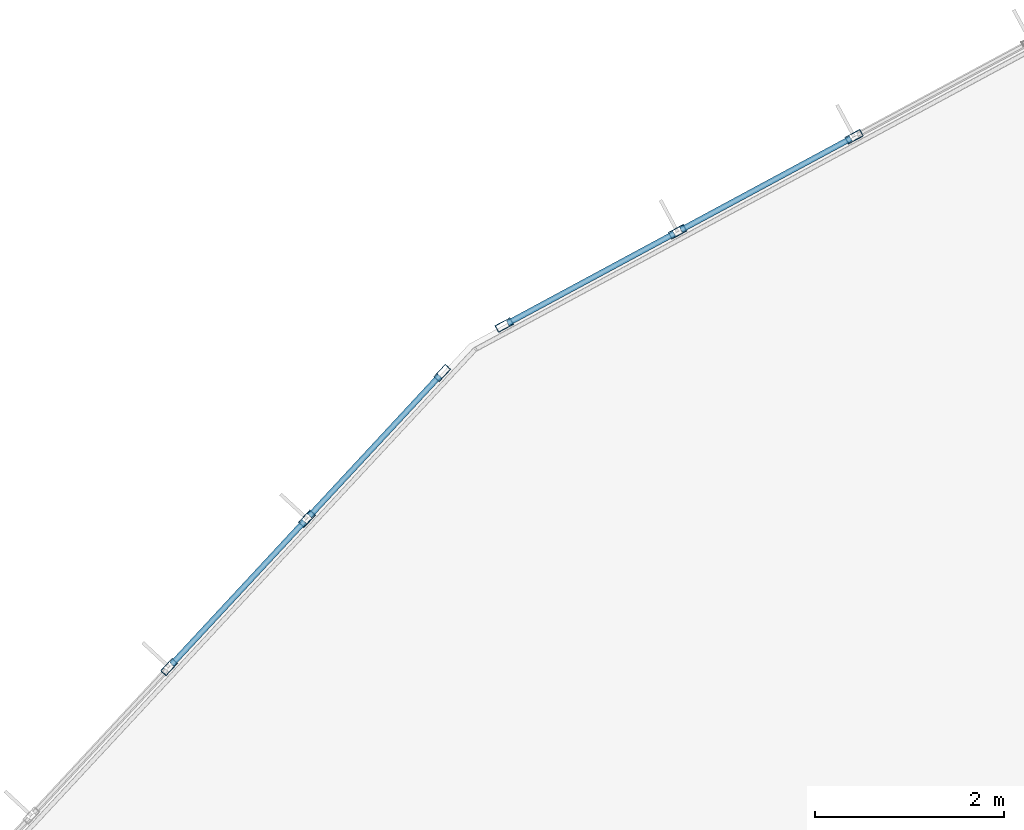
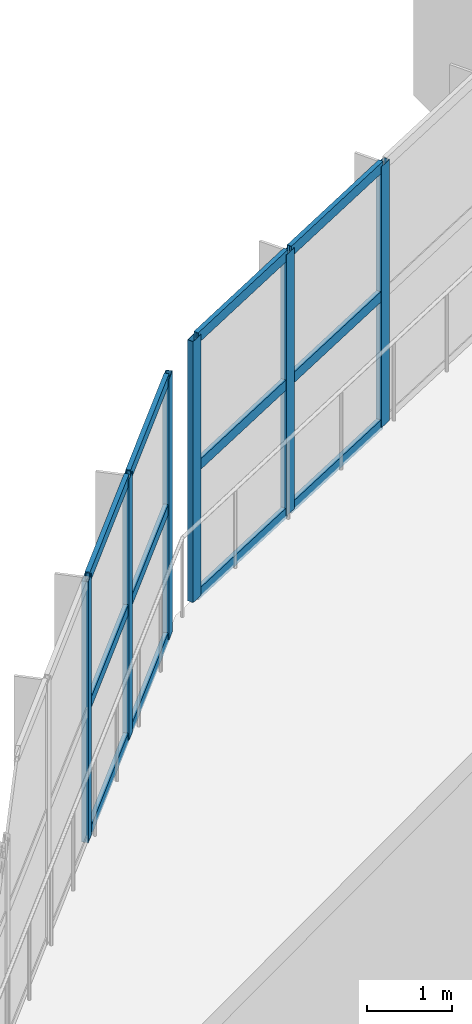
# One storey, part 43 of 167: 18 members, 2 elements without a shape of their own.
"""IFC4 building model written with IfcOpenShell, lengths in metres."""

from ifc_helpers import new_model, si_unit, direction, frame, origin, origin_2d, place, context, subcontext, project, spatial, hollow_rectangle, extrude, material, layer, layer_set, material_profile, profile_set, type_object, element, aggregate, save


model = new_model("IFC4")

# Units and contexts
model_context = context("Model", 3, precision=1e-05, world=origin(), true_north=direction((0.0, 1.0)))
body_context = subcontext(model_context, "Body", "Model", "MODEL_VIEW")
ifc_project = project(units=[si_unit("LENGTHUNIT", "METRE"), si_unit("AREAUNIT", "SQUARE_METRE"), si_unit("VOLUMEUNIT", "CUBIC_METRE"), si_unit("PLANEANGLEUNIT", "RADIAN"), si_unit("MASSUNIT", "GRAM", prefix="KILO")], contexts=[model_context])

# Site, building, storey
site_placement = place(None, origin())
site = spatial("IfcSite", under=ifc_project, at=site_placement, CompositionType="ELEMENT")
building_placement = place(site_placement, origin())
building = spatial("IfcBuilding", under=site, at=building_placement, Name="Zizhar Promenade General Hospital", CompositionType="ELEMENT")
storey_placement = place(building_placement, frame((0.0, 0.0, 9.60009765625)))
storey = spatial("IfcBuildingStorey", under=building, at=storey_placement, Name="L02", CompositionType="ELEMENT", Elevation=9.60009765625)

# Curtain wall, members
ifc_material_1 = material(Name="Anodised aluminium 6063-T6 and low-E glass", Category="aluminium")
ifc_layer = layer(ifc_material_1, 0.159912109375)
ifc_layer_set = layer_set([ifc_layer], Name="Anodised aluminium 6063-T6 and low-E glass")
curtain_wall_type = type_object("IfcCurtainWallType", Name="CW-DT-MOD2", PredefinedType="NOTDEFINED", material=ifc_layer_set)
curtain_wall_1_placement = place(storey_placement, origin())
curtain_wall_1 = element("IfcCurtainWall", 1, at=curtain_wall_1_placement, inside=storey, type_object=curtain_wall_type, Name="West Diagnostic Arm Glazed Curtain Wall L02-NW2", PredefinedType="NOTDEFINED")
ifc_material_2 = material(Name="Anodised aluminium 6063-T6", Category="aluminium")
ifc_material_profile_1 = material_profile(ifc_material_2, hollow_rectangle(XDim=0.080078125, YDim=0.179931640625, WallThickness=0.0048828125, at=origin_2d()))
ifc_profile_set_1 = profile_set([ifc_material_profile_1], Name="Anodised aluminium 6063-T6")
member_type_1 = type_object("IfcMemberType", Name="CWM-ALU-180x80", PredefinedType="MULLION", material=ifc_profile_set_1)
member_1_placement = place(storey_placement, frame((12.42822265625, 72.184326171875, 0.0), z_axis=(0.0, 0.0, 1.0), x_axis=(-0.732792826081, 0.680451816108, 0.0)))
member_1 = element("IfcMember", 2, at=member_1_placement, type_object=member_type_1, Name="CW-08 mullion 4", PredefinedType="MULLION", context=body_context, shape_type="SweptSolid", body=[
    extrude(hollow_rectangle(XDim=0.080078125, YDim=0.179931640625, WallThickness=0.0048828125, at=origin_2d()), origin(), (0.0, 0.0, 1.0), 3.72998046875),
])
member_2_placement = place(storey_placement, frame((13.884765625, 73.7529296875, 0.0), z_axis=(0.0, 0.0, 1.0), x_axis=(-0.732792826081, 0.680451816108, 0.0)))
member_2 = element("IfcMember", 3, at=member_2_placement, type_object=member_type_1, Name="CW-08 mullion 5", PredefinedType="MULLION", context=body_context, shape_type="SweptSolid", body=[
    extrude(hollow_rectangle(XDim=0.080078125, YDim=0.179931640625, WallThickness=0.0048828125, at=origin_2d()), origin(), (0.0, 0.0, 1.0), 3.72998046875),
])
member_3_placement = place(storey_placement, frame((15.314208984375, 75.292236328125, 0.0), z_axis=(0.0, 0.0, 1.0), x_axis=(-0.732792826081, 0.680451816108, 0.0)))
member_3 = element("IfcMember", 4, at=member_3_placement, type_object=member_type_1, Name="CW-08 mullion 6", PredefinedType="MULLION", context=body_context, shape_type="SweptSolid", body=[
    extrude(hollow_rectangle(XDim=0.080078125, YDim=0.179931640625, WallThickness=0.0048828125, at=origin_2d()), origin(), (0.0, 0.0, 1.0), 3.72998046875),
])

curtain_wall_2_placement = place(storey_placement, origin())
curtain_wall_2 = element("IfcCurtainWall", 5, at=curtain_wall_2_placement, inside=storey, type_object=curtain_wall_type, Name="West Diagnostic Arm Glazed Curtain Wall L02-NW3", PredefinedType="NOTDEFINED")
member_4_placement = place(storey_placement, frame((15.9697265625, 75.799072265625, 0.0), z_axis=(0.0, 0.0, 1.0), x_axis=(-0.474097009774, 0.880472614749, 0.0)))
member_4 = element("IfcMember", 6, at=member_4_placement, type_object=member_type_1, Name="CW-08 mullion 1", PredefinedType="MULLION", context=body_context, shape_type="SweptSolid", body=[
    extrude(hollow_rectangle(XDim=0.080078125, YDim=0.179931640625, WallThickness=0.0048828125, at=origin_2d()), origin(), (0.0, 0.0, 1.0), 3.72998046875),
])
member_5_placement = place(storey_placement, frame((17.801025390625, 76.78515625, 0.0), z_axis=(0.0, 0.0, 1.0), x_axis=(-0.474097009774, 0.880472614749, 0.0)))
member_5 = element("IfcMember", 7, at=member_5_placement, type_object=member_type_1, Name="CW-08 mullion 2", PredefinedType="MULLION", context=body_context, shape_type="SweptSolid", body=[
    extrude(hollow_rectangle(XDim=0.080078125, YDim=0.179931640625, WallThickness=0.0048828125, at=origin_2d()), origin(), (0.0, 0.0, 1.0), 3.72998046875),
])
member_6_placement = place(storey_placement, frame((19.667236328125, 77.7900390625, 0.0), z_axis=(0.0, 0.0, 1.0), x_axis=(-0.474097009774, 0.880472614749, 0.0)))
member_6 = element("IfcMember", 8, at=member_6_placement, type_object=member_type_1, Name="CW-08 mullion 3", PredefinedType="MULLION", context=body_context, shape_type="SweptSolid", body=[
    extrude(hollow_rectangle(XDim=0.080078125, YDim=0.179931640625, WallThickness=0.0048828125, at=origin_2d()), origin(), (0.0, 0.0, 1.0), 3.72998046875),
])

# Member
ifc_material_3 = material(Name="Anodised aluminium 6063-T6", Category="aluminium")
ifc_material_profile_2 = material_profile(ifc_material_3, hollow_rectangle(XDim=0.06005859375, YDim=0.14990234375, WallThickness=0.00390625, at=origin_2d()))
ifc_profile_set_2 = profile_set([ifc_material_profile_2], Name="Anodised aluminium 6063-T6")
member_type_2 = type_object("IfcMemberType", Name="CWT-ALU-150x60", PredefinedType="USERDEFINED", material=ifc_profile_set_2)
member_7_placement = place(storey_placement, frame((12.45556640625, 72.213623046875, 0.02978515625), z_axis=(0.680437465798, 0.732806151133, 0.0), x_axis=(-0.732806151133, 0.680437465798, 0.0)))
member_7 = element("IfcMember", 9, at=member_7_placement, type_object=member_type_2, Name="CW-08 transom 4.1", ObjectType="TRANSOM", PredefinedType="USERDEFINED", context=body_context, shape_type="SweptSolid", body=[
    extrude(hollow_rectangle(XDim=0.06005859375, YDim=0.14990234375, WallThickness=0.00390625, at=origin_2d()), origin(), (0.0, 0.0, 1.0), 2.060546875),
])

member_8_placement = place(storey_placement, frame((12.45556640625, 72.213623046875, 1.864990234375), z_axis=(0.680437465798, 0.732806151133, 0.0), x_axis=(-0.732806151133, 0.680437465798, 0.0)))
member_8 = element("IfcMember", 10, at=member_8_placement, type_object=member_type_2, Name="CW-08 transom 4.2", ObjectType="TRANSOM", PredefinedType="USERDEFINED", context=body_context, shape_type="SweptSolid", body=[
    extrude(hollow_rectangle(XDim=0.06005859375, YDim=0.14990234375, WallThickness=0.00390625, at=origin_2d()), origin(), (0.0, 0.0, 1.0), 2.060546875),
])

member_9_placement = place(storey_placement, frame((12.45556640625, 72.213623046875, 3.699951171875), z_axis=(0.680437465798, 0.732806151133, 0.0), x_axis=(-0.732806151133, 0.680437465798, 0.0)))
member_9 = element("IfcMember", 11, at=member_9_placement, type_object=member_type_2, Name="CW-08 transom 4.3", ObjectType="TRANSOM", PredefinedType="USERDEFINED", context=body_context, shape_type="SweptSolid", body=[
    extrude(hollow_rectangle(XDim=0.06005859375, YDim=0.14990234375, WallThickness=0.00390625, at=origin_2d()), origin(), (0.0, 0.0, 1.0), 2.060546875),
])

member_10_placement = place(storey_placement, frame((13.912109375, 73.7822265625, 0.02978515625), z_axis=(0.680400116913, 0.732840829174, 0.0), x_axis=(-0.732840829174, 0.680400116913, 0.0)))
member_10 = element("IfcMember", 12, at=member_10_placement, type_object=member_type_2, Name="CW-08 transom 5.1", ObjectType="TRANSOM", PredefinedType="USERDEFINED", context=body_context, shape_type="SweptSolid", body=[
    extrude(hollow_rectangle(XDim=0.06005859375, YDim=0.14990234375, WallThickness=0.00390625, at=origin_2d()), origin(), (0.0, 0.0, 1.0), 2.0205078125),
])

member_11_placement = place(storey_placement, frame((13.912109375, 73.7822265625, 1.864990234375), z_axis=(0.680400116913, 0.732840829174, 0.0), x_axis=(-0.732840829174, 0.680400116913, 0.0)))
member_11 = element("IfcMember", 13, at=member_11_placement, type_object=member_type_2, Name="CW-08 transom 5.2", ObjectType="TRANSOM", PredefinedType="USERDEFINED", context=body_context, shape_type="SweptSolid", body=[
    extrude(hollow_rectangle(XDim=0.06005859375, YDim=0.14990234375, WallThickness=0.00390625, at=origin_2d()), origin(), (0.0, 0.0, 1.0), 2.0205078125),
])

member_12_placement = place(storey_placement, frame((13.912109375, 73.7822265625, 3.699951171875), z_axis=(0.680400116913, 0.732840829174, 0.0), x_axis=(-0.732840829174, 0.680400116913, 0.0)))
member_12 = element("IfcMember", 14, at=member_12_placement, type_object=member_type_2, Name="CW-08 transom 5.3", ObjectType="TRANSOM", PredefinedType="USERDEFINED", context=body_context, shape_type="SweptSolid", body=[
    extrude(hollow_rectangle(XDim=0.06005859375, YDim=0.14990234375, WallThickness=0.00390625, at=origin_2d()), origin(), (0.0, 0.0, 1.0), 2.0205078125),
])

aggregate(curtain_wall_1, [member_1, member_2, member_3, member_7, member_8, member_9, member_10, member_11, member_12])

member_13_placement = place(storey_placement, frame((16.005126953125, 75.818115234375, 0.02978515625), z_axis=(0.880463258516, 0.474114385358, 0.0), x_axis=(-0.474114385358, 0.880463258516, 0.0)))
member_13 = element("IfcMember", 15, at=member_13_placement, type_object=member_type_2, Name="CW-08 transom 1.1", ObjectType="TRANSOM", PredefinedType="USERDEFINED", context=body_context, shape_type="SweptSolid", body=[
    extrude(hollow_rectangle(XDim=0.06005859375, YDim=0.14990234375, WallThickness=0.00390625, at=origin_2d()), origin(), (0.0, 0.0, 1.0), 1.99951171875),
])

member_14_placement = place(storey_placement, frame((16.005126953125, 75.818115234375, 1.864990234375), z_axis=(0.880463258516, 0.474114385358, 0.0), x_axis=(-0.474114385358, 0.880463258516, 0.0)))
member_14 = element("IfcMember", 16, at=member_14_placement, type_object=member_type_2, Name="CW-08 transom 1.2", ObjectType="TRANSOM", PredefinedType="USERDEFINED", context=body_context, shape_type="SweptSolid", body=[
    extrude(hollow_rectangle(XDim=0.06005859375, YDim=0.14990234375, WallThickness=0.00390625, at=origin_2d()), origin(), (0.0, 0.0, 1.0), 1.99951171875),
])

member_15_placement = place(storey_placement, frame((16.005126953125, 75.818115234375, 3.699951171875), z_axis=(0.880463258516, 0.474114385358, 0.0), x_axis=(-0.474114385358, 0.880463258516, 0.0)))
member_15 = element("IfcMember", 17, at=member_15_placement, type_object=member_type_2, Name="CW-08 transom 1.3", ObjectType="TRANSOM", PredefinedType="USERDEFINED", context=body_context, shape_type="SweptSolid", body=[
    extrude(hollow_rectangle(XDim=0.06005859375, YDim=0.14990234375, WallThickness=0.00390625, at=origin_2d()), origin(), (0.0, 0.0, 1.0), 1.99951171875),
])

member_16_placement = place(storey_placement, frame((17.836181640625, 76.80419921875, 0.02978515625), z_axis=(0.880467256516, 0.47410696072, 0.0), x_axis=(-0.47410696072, 0.880467256516, 0.0)))
member_16 = element("IfcMember", 18, at=member_16_placement, type_object=member_type_2, Name="CW-08 transom 2.1", ObjectType="TRANSOM", PredefinedType="USERDEFINED", context=body_context, shape_type="SweptSolid", body=[
    extrude(hollow_rectangle(XDim=0.06005859375, YDim=0.14990234375, WallThickness=0.00390625, at=origin_2d()), origin(), (0.0, 0.0, 1.0), 2.039794921875),
])

member_17_placement = place(storey_placement, frame((17.836181640625, 76.80419921875, 1.864990234375), z_axis=(0.880467256516, 0.47410696072, 0.0), x_axis=(-0.47410696072, 0.880467256516, 0.0)))
member_17 = element("IfcMember", 19, at=member_17_placement, type_object=member_type_2, Name="CW-08 transom 2.2", ObjectType="TRANSOM", PredefinedType="USERDEFINED", context=body_context, shape_type="SweptSolid", body=[
    extrude(hollow_rectangle(XDim=0.06005859375, YDim=0.14990234375, WallThickness=0.00390625, at=origin_2d()), origin(), (0.0, 0.0, 1.0), 2.039794921875),
])

member_18_placement = place(storey_placement, frame((17.836181640625, 76.80419921875, 3.699951171875), z_axis=(0.880467256516, 0.47410696072, 0.0), x_axis=(-0.47410696072, 0.880467256516, 0.0)))
member_18 = element("IfcMember", 20, at=member_18_placement, type_object=member_type_2, Name="CW-08 transom 2.3", ObjectType="TRANSOM", PredefinedType="USERDEFINED", context=body_context, shape_type="SweptSolid", body=[
    extrude(hollow_rectangle(XDim=0.06005859375, YDim=0.14990234375, WallThickness=0.00390625, at=origin_2d()), origin(), (0.0, 0.0, 1.0), 2.039794921875),
])

aggregate(curtain_wall_2, [member_4, member_5, member_6, member_13, member_14, member_15, member_16, member_17, member_18])

save(model, "model.ifc")
